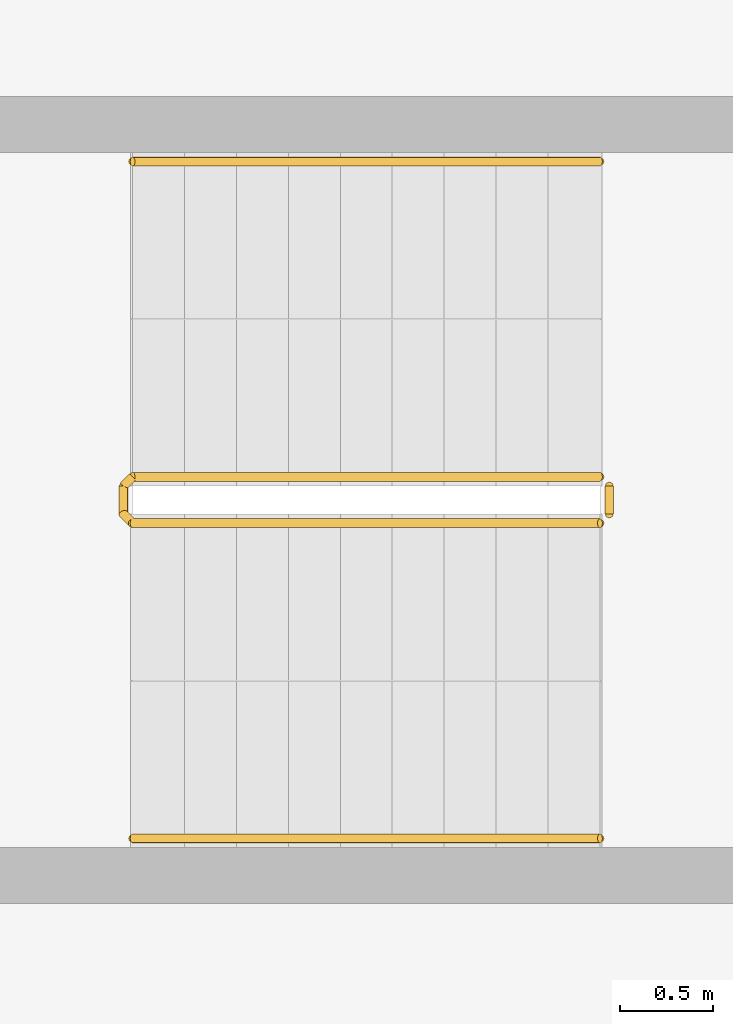
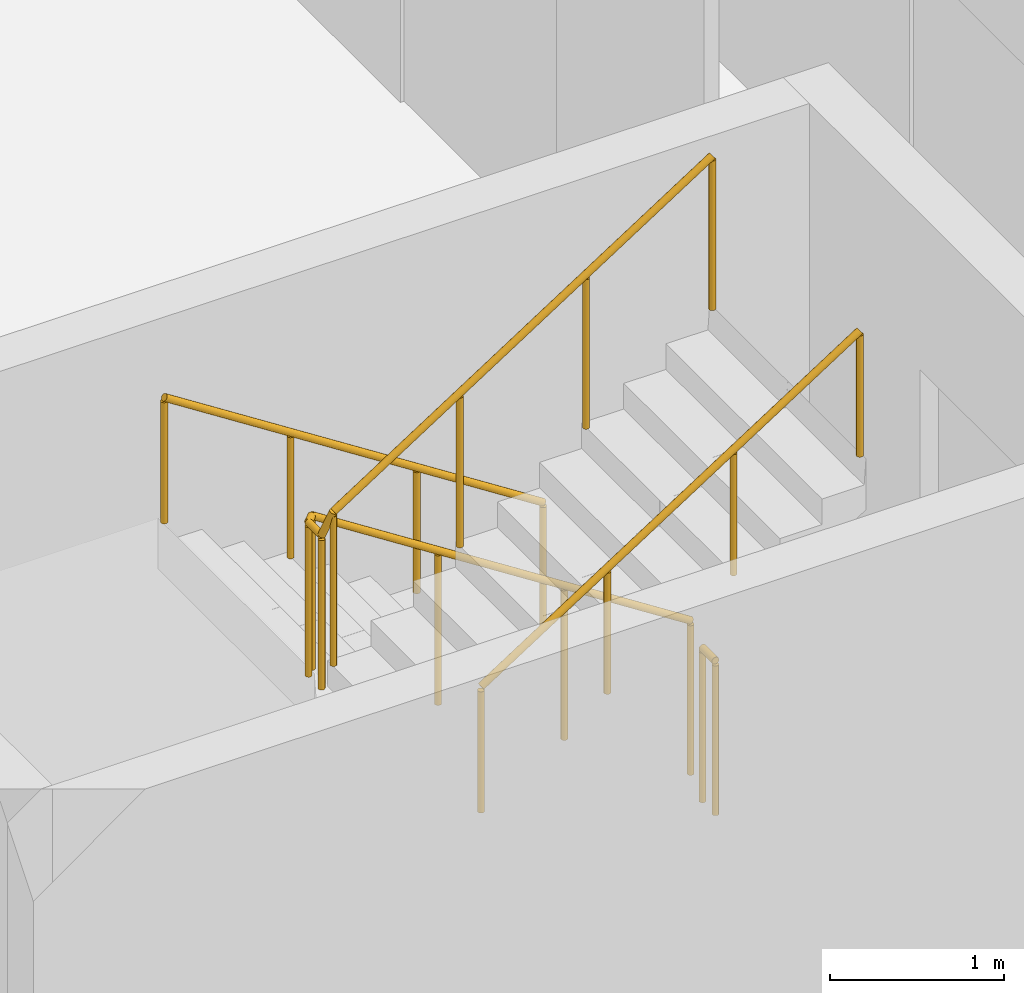
# One storey, part 22 of 25: 4 railings.
"""IFC4 building model written with IfcOpenShell, lengths in metres."""

from ifc_helpers import new_model, si_unit, direction, frame, origin, origin_2d, place, context, subcontext, project, spatial, circle, extrude, material, type_object, element, save


model = new_model("IFC4")

# Units and contexts
model_context = context("Model", 3, precision=1e-05, world=origin(), true_north=direction((0.0, 1.0)))
body_context = subcontext(model_context, "Body", "Model", "MODEL_VIEW")
ifc_project = project(units=[si_unit("LENGTHUNIT", "METRE"), si_unit("AREAUNIT", "SQUARE_METRE"), si_unit("VOLUMEUNIT", "CUBIC_METRE"), si_unit("PLANEANGLEUNIT", "RADIAN"), si_unit("MASSUNIT", "GRAM", prefix="KILO")], contexts=[model_context])

# Site, building, storey
site_placement = place(None, origin())
site = spatial("IfcSite", under=ifc_project, at=site_placement, CompositionType="ELEMENT")
building_placement = place(site_placement, origin())
building = spatial("IfcBuilding", under=site, at=building_placement, Name="Wharfspan Tower", CompositionType="ELEMENT")
storey_placement = place(building_placement, frame((0.0, 0.0, 70.300049)))
storey = spatial("IfcBuildingStorey", under=building, at=storey_placement, Name="L14", CompositionType="ELEMENT", Elevation=70.300049)

# Railings
ifc_material = material(Name="Steel S355J2", Category="steel")
railing_type_1 = type_object("IfcRailingType", Name="Stair guard 1100", PredefinedType="GUARDRAIL", material=ifc_material)
railing_1_placement = place(storey_placement, frame((6.899902, 22.625, 0.179932)))
element("IfcRailing", 1, at=railing_1_placement, inside=storey, type_object=railing_type_1, Name="L14 ST3 stair guard 1", PredefinedType="GUARDRAIL", context=body_context, shape_type="SweptSolid", body=[
    extrude(circle(Radius=0.023926, at=origin_2d()), frame((0.0, 0.0, 1.076172), z_axis=(-0.841163, 0.0, 0.540782), x_axis=(0.0, -1.0, 0.0)), (0.0, 0.0, 1.0), 2.99585),
    extrude(circle(Radius=0.023926, at=origin_2d()), frame((-2.52002, 0.0, 2.696289), z_axis=(-0.705376, -0.708834, 0.0), x_axis=(0.708834, -0.705376, 0.0)), (0.0, 0.0, 1.0), 0.070557),
    extrude(circle(Radius=0.023926, at=origin_2d()), frame((-2.569824, -0.050049, 2.696289), z_axis=(0.0, -1.0, 0.0), x_axis=(1.0, 0.0, 0.0)), (0.0, 0.0, 1.0), 0.149902),
    extrude(circle(Radius=0.023926, at=origin_2d()), frame((-2.569824, -0.199951, 2.696289), z_axis=(0.257669, -0.258932, 0.930892), x_axis=(0.708833, 0.705372, -1e-06)), (0.0, 0.0, 1.0), 0.193359),
    extrude(circle(Radius=0.023926, at=origin_2d()), frame((-2.52002, -0.25, 2.875977), z_axis=(0.8412, 0.0, 0.540725), x_axis=(0.0, 1.0, 0.0)), (0.0, 0.0, 1.0), 2.99585),
    extrude(circle(Radius=0.020996, at=origin_2d()), origin(), (0.0, 0.0, 1.0), 1.052002),
    extrude(circle(Radius=0.020996, at=origin_2d()), frame((-0.840088, 0.0, 0.540039)), (0.0, 0.0, 1.0), 1.052002),
    extrude(circle(Radius=0.020996, at=origin_2d()), frame((-1.679932, 0.0, 1.080078)), (0.0, 0.0, 1.0), 1.052002),
    extrude(circle(Radius=0.020996, at=origin_2d()), frame((-2.52002, 0.0, 1.620117)), (0.0, 0.0, 1.0), 1.052002),
    extrude(circle(Radius=0.020996, at=origin_2d()), frame((-2.569824, -0.050049, 1.620117)), (0.0, 0.0, 1.0), 1.052002),
    extrude(circle(Radius=0.020996, at=origin_2d()), frame((-2.569824, -0.199951, 1.620117)), (0.0, 0.0, 1.0), 1.052002),
    extrude(circle(Radius=0.020996, at=origin_2d()), frame((-2.52002, -0.25, 1.800049)), (0.0, 0.0, 1.0), 1.052002),
    extrude(circle(Radius=0.020996, at=origin_2d()), frame((-1.679932, -0.25, 2.340088)), (0.0, 0.0, 1.0), 1.052002),
    extrude(circle(Radius=0.020996, at=origin_2d()), frame((-0.840088, -0.25, 2.879883)), (0.0, 0.0, 1.0), 1.052002),
    extrude(circle(Radius=0.020996, at=origin_2d()), frame((0.0, -0.25, 3.419922)), (0.0, 0.0, 1.0), 1.052002),
])
railing_2_placement = place(storey_placement, frame((6.949951, 22.574951, 0.0)))
element("IfcRailing", 2, at=railing_2_placement, inside=storey, type_object=railing_type_1, Name="L14 ST3 stair guard 2", PredefinedType="GUARDRAIL", context=body_context, shape_type="SweptSolid", body=[
    extrude(circle(Radius=0.023926, at=origin_2d()), frame((0.0, 0.0, 1.076172), z_axis=(0.0, -1.0, 0.0), x_axis=(1.0, 0.0, 0.0)), (0.0, 0.0, 1.0), 0.149902),
    extrude(circle(Radius=0.020996, at=origin_2d()), origin(), (0.0, 0.0, 1.0), 1.052002),
    extrude(circle(Radius=0.020996, at=origin_2d()), frame((0.0, -0.149902, 0.0)), (0.0, 0.0, 1.0), 1.052002),
])
railing_type_2 = type_object("IfcRailingType", Name="Stair handrail 900", PredefinedType="HANDRAIL", material=ifc_material)
railing_3_placement = place(storey_placement, frame((6.899902, 24.324951, 0.179932)))
element("IfcRailing", 3, at=railing_3_placement, inside=storey, type_object=railing_type_2, Name="L14 ST3 stair handrail 1", PredefinedType="HANDRAIL", context=body_context, shape_type="SweptSolid", body=[
    extrude(circle(Radius=0.023926, at=origin_2d()), frame((0.0, 0.0, 0.875977), z_axis=(-0.841163, 0.0, 0.540782), x_axis=(0.0, -1.0, 0.0)), (0.0, 0.0, 1.0), 2.99585),
    extrude(circle(Radius=0.020996, at=origin_2d()), origin(), (0.0, 0.0, 1.0), 0.851807),
    extrude(circle(Radius=0.020996, at=origin_2d()), frame((-0.840088, 0.0, 0.540039)), (0.0, 0.0, 1.0), 0.851807),
    extrude(circle(Radius=0.020996, at=origin_2d()), frame((-1.679932, 0.0, 1.080078)), (0.0, 0.0, 1.0), 0.851807),
    extrude(circle(Radius=0.020996, at=origin_2d()), frame((-2.52002, 0.0, 1.620117)), (0.0, 0.0, 1.0), 0.851807),
])
railing_4_placement = place(storey_placement, frame((4.379883, 20.675049, 1.97998)))
element("IfcRailing", 4, at=railing_4_placement, inside=storey, type_object=railing_type_2, Name="L14 ST3 stair handrail 2", PredefinedType="HANDRAIL", context=body_context, shape_type="SweptSolid", body=[
    extrude(circle(Radius=0.023926, at=origin_2d()), frame((0.0, 0.0, 0.875977), z_axis=(0.8412, 0.0, 0.540725), x_axis=(0.0, 1.0, 0.0)), (0.0, 0.0, 1.0), 2.99585),
    extrude(circle(Radius=0.020996, at=origin_2d()), origin(), (0.0, 0.0, 1.0), 0.851807),
    extrude(circle(Radius=0.020996, at=origin_2d()), frame((0.840088, 0.0, 0.540039)), (0.0, 0.0, 1.0), 0.851807),
    extrude(circle(Radius=0.020996, at=origin_2d()), frame((1.679932, 0.0, 1.079834)), (0.0, 0.0, 1.0), 0.851807),
    extrude(circle(Radius=0.020996, at=origin_2d()), frame((2.52002, 0.0, 1.619873)), (0.0, 0.0, 1.0), 0.851807),
])

save(model, "model.ifc")
